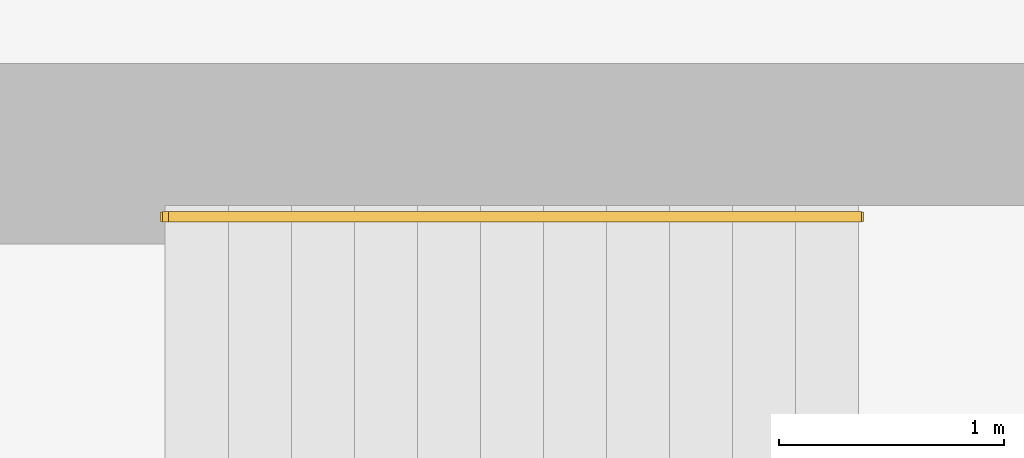
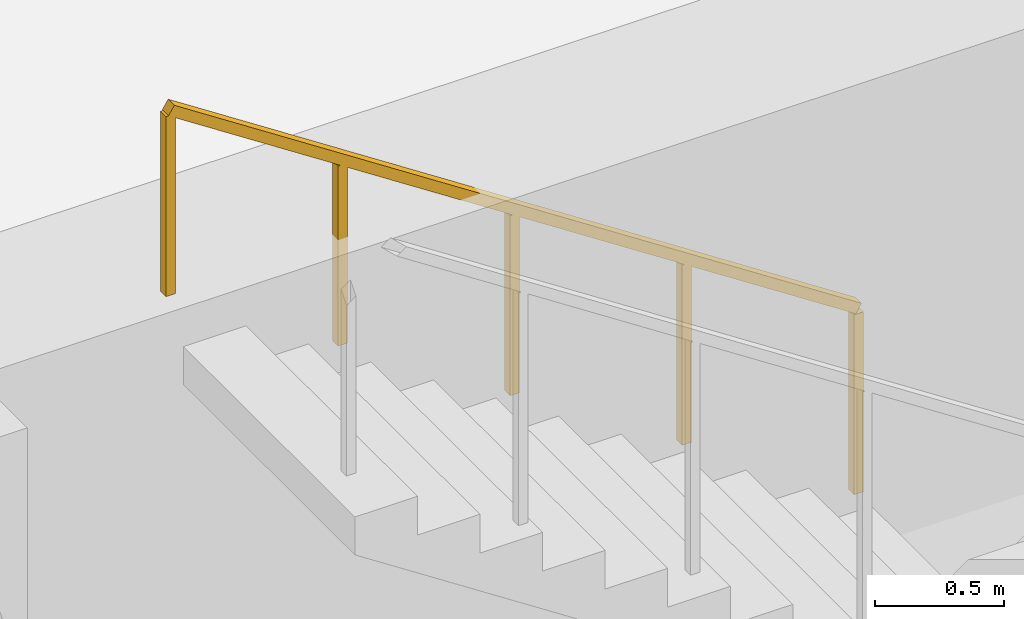
# One storey, part 8 of 8: 1 railing.
"""IFC4 building model written with IfcOpenShell, lengths in metres."""

from ifc_helpers import new_model, si_unit, direction, frame, origin, origin_2d, place, context, subcontext, project, spatial, rectangle, extrude, material, type_object, element, save


model = new_model("IFC4")

# Units and contexts
model_context = context("Model", 3, precision=1e-05, world=origin(), true_north=direction((0.0, 1.0)))
body_context = subcontext(model_context, "Body", "Model", "MODEL_VIEW")
ifc_project = project(units=[si_unit("LENGTHUNIT", "METRE"), si_unit("AREAUNIT", "SQUARE_METRE"), si_unit("VOLUMEUNIT", "CUBIC_METRE"), si_unit("PLANEANGLEUNIT", "RADIAN"), si_unit("MASSUNIT", "GRAM", prefix="KILO")], contexts=[model_context])

# Site, building, storey
site_placement = place(None, origin())
site = spatial("IfcSite", under=ifc_project, at=site_placement, CompositionType="ELEMENT")
building_placement = place(site_placement, origin())
building = spatial("IfcBuilding", under=site, at=building_placement, Name="Zarnavel Station Tower", CompositionType="ELEMENT")
storey_placement = place(building_placement, frame((0.0, 0.0, -4.39990234375)))
storey = spatial("IfcBuildingStorey", under=building, at=storey_placement, Name="B01", CompositionType="ELEMENT", Elevation=-4.39990234375)

# Railing
ifc_material = material(Name="Brushed Stainless Steel S355J2 Handrail", Category="steel")
railing_type = type_object("IfcRailingType", Name="HR_STAIR_900", PredefinedType="HANDRAIL", material=ifc_material)
railing_placement = place(storey_placement, frame((41.159912109375, 36.77001953125, 2.38330078125)))
element("IfcRailing", 1, at=railing_placement, inside=storey, type_object=railing_type, Name="B01 ST2 stair handrail 2", PredefinedType="HANDRAIL", context=body_context, shape_type="SweptSolid", body=[
    extrude(rectangle(XDim=0.048095703125, YDim=0.048095703125, at=origin_2d()), frame((-0.001708984375, 0.0, 0.876953125), z_axis=(-0.836613101238, 0.0, 0.547794230379), x_axis=(0.0, -1.0, 0.0)), (0.0, 0.0, 1.0), 3.67724609375),
    extrude(rectangle(XDim=0.0419921875, YDim=0.0419921875, at=origin_2d()), origin(), (0.0, 0.0, 1.0), 0.851806640625),
    extrude(rectangle(XDim=0.0419921875, YDim=0.0419921875, at=origin_2d()), frame((-0.77001953125, 0.0, 0.504150390625)), (0.0, 0.0, 1.0), 0.851806640625),
    extrude(rectangle(XDim=0.0419921875, YDim=0.0419921875, at=origin_2d()), frame((-1.5400390625, 0.0, 1.00830078125)), (0.0, 0.0, 1.0), 0.851806640625),
    extrude(rectangle(XDim=0.0419921875, YDim=0.0419921875, at=origin_2d()), frame((-2.309814453125, 0.0, 1.512451171875)), (0.0, 0.0, 1.0), 0.851806640625),
    extrude(rectangle(XDim=0.0419921875, YDim=0.0419921875, at=origin_2d()), frame((-3.079833984375, 0.0, 2.0166015625)), (0.0, 0.0, 1.0), 0.851806640625),
])

save(model, "model.ifc")
